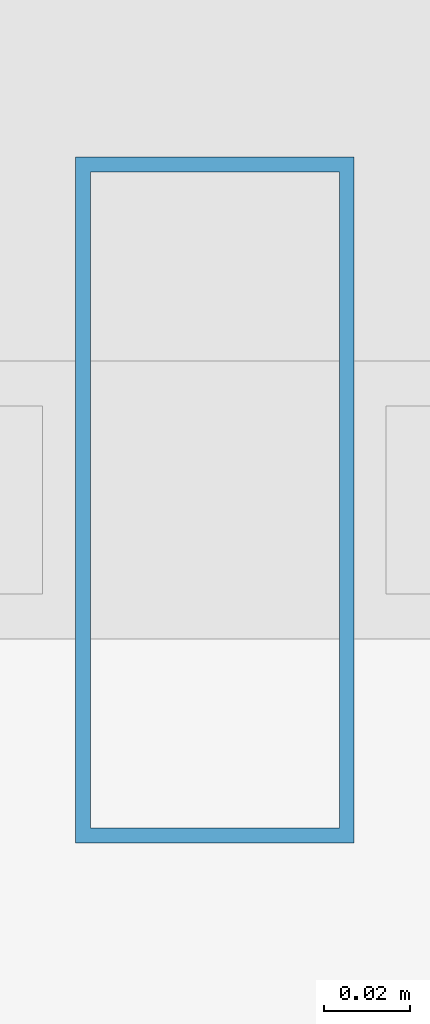
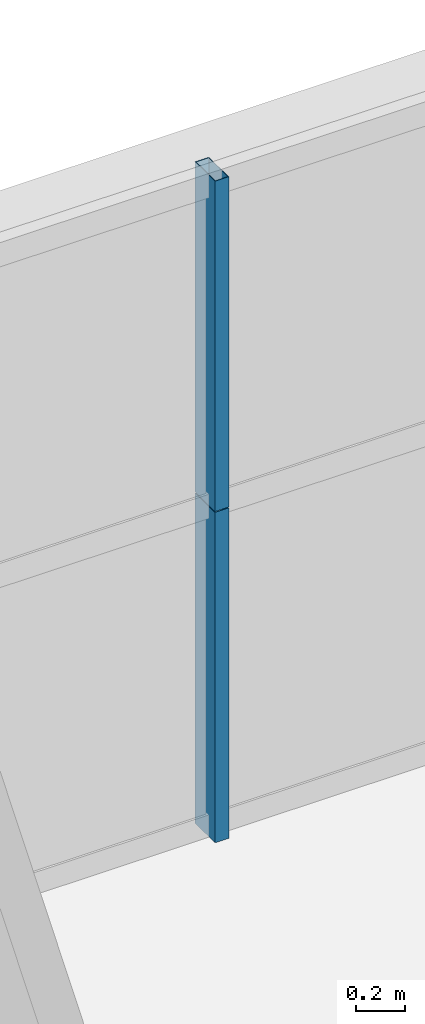
# One storey, part 27 of 38: 2 members, 1 element without a shape of its own.
"""IFC4 building model written with IfcOpenShell, lengths in metres."""

from ifc_helpers import new_model, si_unit, direction, frame, origin, origin_2d, place, context, subcontext, project, spatial, hollow_rectangle, extrude, source, transform, mapped, material, layer, layer_set, material_profile, profile_set, type_object, element, aggregate, save


model = new_model("IFC4")

# Units and contexts
model_context = context("Model", 3, precision=1e-05, world=origin(), true_north=direction((0.0, 1.0)))
body_context = subcontext(model_context, "Body", "Model", "MODEL_VIEW")
ifc_project = project(units=[si_unit("LENGTHUNIT", "METRE"), si_unit("AREAUNIT", "SQUARE_METRE"), si_unit("VOLUMEUNIT", "CUBIC_METRE"), si_unit("PLANEANGLEUNIT", "RADIAN"), si_unit("MASSUNIT", "GRAM", prefix="KILO"), si_unit("THERMODYNAMICTEMPERATUREUNIT", "KELVIN"), si_unit("POWERUNIT", "WATT")], contexts=[model_context])

# Site, building, storey
site_placement = place(None, origin())
site = spatial("IfcSite", under=ifc_project, at=site_placement, CompositionType="ELEMENT")
building_placement = place(site_placement, origin())
building = spatial("IfcBuilding", under=site, at=building_placement, Name="Yuzanri Waterfront Tower", CompositionType="ELEMENT")
storey_placement = place(building_placement, frame((0.0, 0.0, 188.0)))
storey = spatial("IfcBuildingStorey", under=building, at=storey_placement, Name="L49", CompositionType="ELEMENT", Elevation=188.0)

# Curtain wall, members
ifc_material_1 = material(Name="Anodized Architectural Bronze", Category="metal")
ifc_layer = layer(ifc_material_1, 0.159912109375)
ifc_layer_set = layer_set([ifc_layer], Name="Anodized Architectural Bronze")
curtain_wall_type = type_object("IfcCurtainWallType", Name="Anodized Bronze Mid-Rise Residential Acoustic Unitized Curtain Wall 7200", PredefinedType="NOTDEFINED", material=ifc_layer_set)
curtain_wall_placement = place(storey_placement, origin())
curtain_wall = element("IfcCurtainWall", 1, at=curtain_wall_placement, inside=storey, type_object=curtain_wall_type, Name="L49 Curtain Wall CW-L49-NL", PredefinedType="NOTDEFINED")
ifc_material_2 = material(Name="Anodized Architectural Bronze", Category="metal")
ifc_material_profile = material_profile(ifc_material_2, hollow_rectangle(XDim=0.06494140625, YDim=0.159912109375, WallThickness=0.00341796875, at=origin_2d()), Name="CWM 65x160")
ifc_profile_set = profile_set([ifc_material_profile], Name="Anodized Architectural Bronze")
member_type = type_object("IfcMemberType", Name="Anodized Bronze Upper-Zone Curtain-Wall Mullion 65x160", PredefinedType="MULLION", material=ifc_profile_set)
shared_shape = source(origin(), body_context, "Body", "SweptSolid", [
    extrude(hollow_rectangle(XDim=0.06494140625, YDim=0.159912109375, WallThickness=0.00341796875, at=origin_2d()), origin(), (0.0, 0.0, 1.0), 1.637939453125),
])
member_1_placement = place(storey_placement, frame((29.425048828125, 47.75, 0.0), z_axis=(0.0, 0.0, 1.0), x_axis=(1.0, 0.0, 0.0)))
member_1 = element("IfcMember", 2, at=member_1_placement, type_object=member_type, Name="CW-L49-NL Lower Mullion 01", PredefinedType="MULLION", context=body_context, shape_type="MappedRepresentation", body=[
    mapped(shared_shape, transform((0.0, 0.0, 0.0), scale=1.0)),
])
member_2_placement = place(storey_placement, frame((29.425048828125, 47.75, 1.64208984375), z_axis=(0.0, 0.0, 1.0), x_axis=(1.0, 0.0, 0.0)))
member_2 = element("IfcMember", 3, at=member_2_placement, type_object=member_type, Name="CW-L49-NL Upper Mullion 01", PredefinedType="MULLION", context=body_context, shape_type="MappedRepresentation", body=[
    mapped(shared_shape, transform((0.0, 0.0, 0.0), scale=1.0)),
])
aggregate(curtain_wall, [member_1, member_2])

save(model, "model.ifc")
